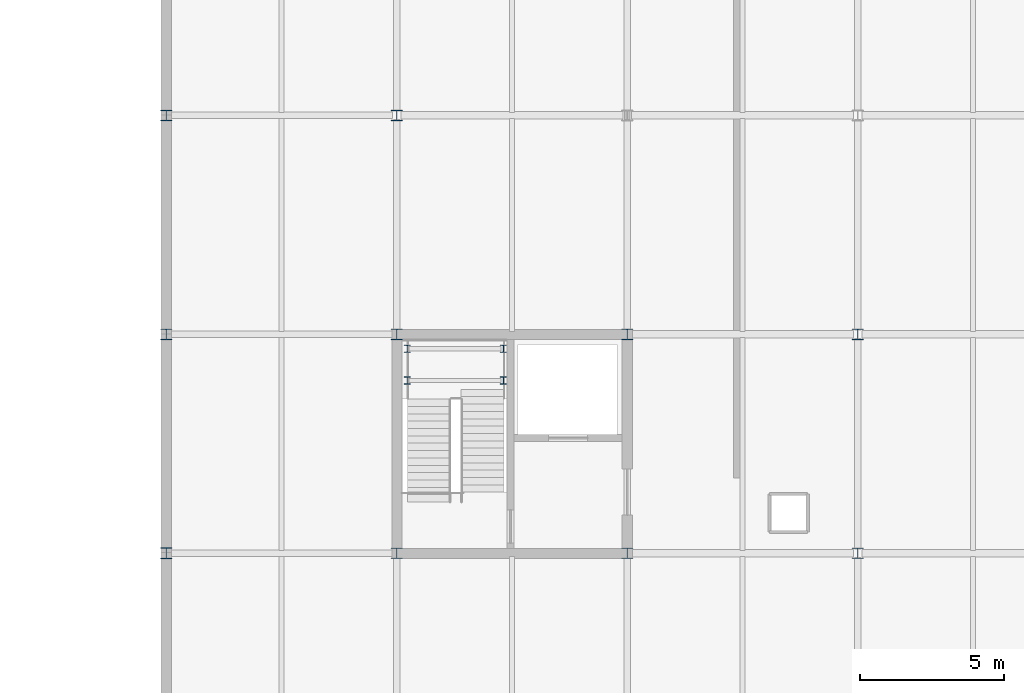
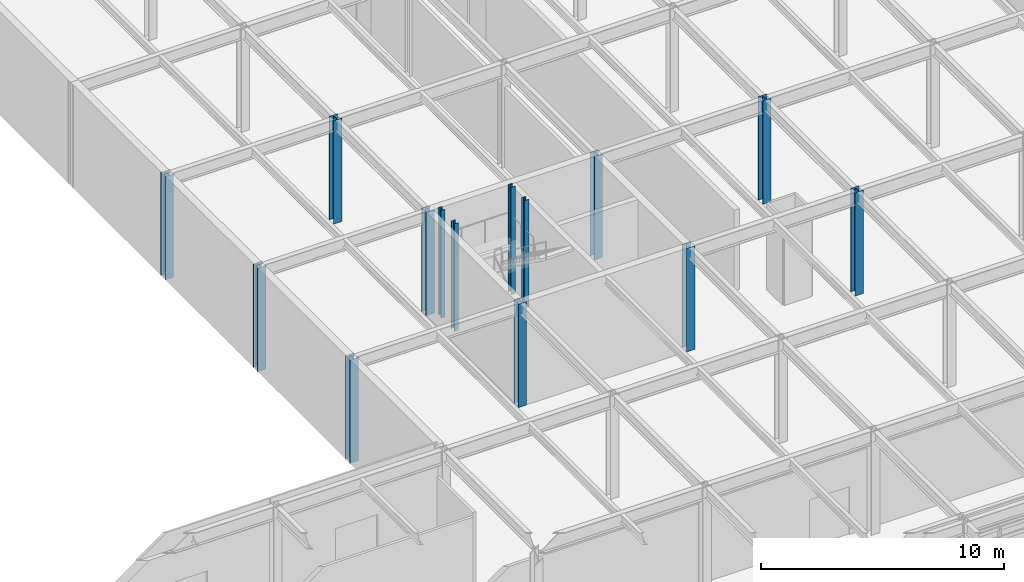
# One storey, part 15 of 94: 14 columns.
"""IFC4 building model written with IfcOpenShell, lengths in metres."""

from ifc_helpers import new_model, si_unit, direction, frame, origin, origin_2d, place, context, subcontext, project, spatial, i_section, extrude, material, material_profile, profile_set, type_object, element, save


model = new_model("IFC4")

# Units and contexts
model_context = context("Model", 3, precision=1e-05, world=origin(), true_north=direction((0.0, 1.0)))
body_context = subcontext(model_context, "Body", "Model", "MODEL_VIEW")
ifc_project = project(units=[si_unit("LENGTHUNIT", "METRE"), si_unit("AREAUNIT", "SQUARE_METRE"), si_unit("VOLUMEUNIT", "CUBIC_METRE"), si_unit("PLANEANGLEUNIT", "RADIAN"), si_unit("MASSUNIT", "GRAM", prefix="KILO")], contexts=[model_context])

# Site, building, storey
site_placement = place(None, origin())
site = spatial("IfcSite", under=ifc_project, at=site_placement, CompositionType="ELEMENT")
building_placement = place(site_placement, origin())
building = spatial("IfcBuilding", under=site, at=building_placement, Name="Zulena Civic Courthouse", CompositionType="ELEMENT")
storey_placement = place(building_placement, frame((0.0, 0.0, 5.39990234375)))
storey = spatial("IfcBuildingStorey", under=building, at=storey_placement, Name="L01", CompositionType="ELEMENT", Elevation=5.39990234375)

# Columns
ifc_material = material(Name="Steel ASTM A992 Grade 50", Category="steel")
ifc_material_profile_1 = material_profile(ifc_material, i_section(OverallWidth=0.2041015625, OverallDepth=0.257080078125, WebThickness=0.0087890625, FlangeThickness=0.015625, FilletRadius=0.0126953125, at=origin_2d()), Name="W10X45")
ifc_profile_set_1 = profile_set([ifc_material_profile_1], Name="Steel ASTM A992 Grade 50")
column_type_1 = type_object("IfcColumnType", Name="Col_W10X45", PredefinedType="COLUMN", material=ifc_profile_set_1)
for number, where, z_axis, x_axis, name in (
    (1, (76.360107421875, 74.39990234375, 0.0), (0.0, 0.0, 1.0), (1.0, 0.0, 0.0), "col:lnd:K5B:L01:0:0"),
    (2, (79.699951171875, 74.39990234375, 0.0), (0.0, 0.0, 1.0), (1.0, 0.0, 0.0), "col:lnd:K5B:L01:0:1"),
    (3, (76.360107421875, 75.5, 0.0), (0.0, 0.0, 1.0), (1.0, 0.0, 0.0), "col:lnd:K5B:L01:1:0"),
    (4, (79.699951171875, 75.5, 0.0), (0.0, 0.0, 1.0), (1.0, 0.0, 0.0), "col:lnd:K5B:L01:1:1"),
):
    element("IfcColumn", number, at=place(storey_placement, frame(where, z_axis=z_axis, x_axis=x_axis)), inside=storey, type_object=column_type_1, Name=name, PredefinedType="COLUMN", context=body_context, shape_type="SweptSolid", body=[
        extrude(i_section(OverallWidth=0.2041015625, OverallDepth=0.257080078125, WebThickness=0.0087890625, FlangeThickness=0.015625, FilletRadius=0.0126953125, at=origin_2d()), origin(), (0.0, 0.0, 1.0), 5.39501953125),
    ])
ifc_material_profile_2 = material_profile(ifc_material, i_section(OverallWidth=0.39404296875, OverallDepth=0.3759765625, WebThickness=0.017333984375, FlangeThickness=0.027587890625, FilletRadius=0.01513671875, at=origin_2d()), Name="W14X145")
ifc_profile_set_2 = profile_set([ifc_material_profile_2], Name="Steel ASTM A992 Grade 50")
column_type_2 = type_object("IfcColumnType", Name="Col_W14X145", PredefinedType="COLUMN", material=ifc_profile_set_2)
for number, where, z_axis, x_axis, name in (
    (5, (76.0, 68.39990234375, 0.0), (0.0, 0.0, 1.0), (1.0, 0.0, 0.0), "col:V5:L01:76.0:68.4"),
    (6, (76.0, 76.0, 0.0), (0.0, 0.0, 1.0), (1.0, 0.0, 0.0), "col:V5:L01:76.0:76.0"),
    (7, (76.0, 83.60009765625, 0.0), (0.0, 0.0, 1.0), (1.0, 0.0, 0.0), "col:V5:L01:76.0:83.6"),
    (8, (84.0, 68.39990234375, 0.0), (0.0, 0.0, 1.0), (1.0, 0.0, 0.0), "col:V5:L01:84.0:68.4"),
    (9, (84.0, 76.0, 0.0), (0.0, 0.0, 1.0), (1.0, 0.0, 0.0), "col:V5:L01:84.0:76.0"),
    (10, (92.0, 68.39990234375, 0.0), (0.0, 0.0, 1.0), (1.0, 0.0, 0.0), "col:V5:L01:92.0:68.4"),
    (11, (92.0, 76.0, 0.0), (0.0, 0.0, 1.0), (1.0, 0.0, 0.0), "col:V5:L01:92.0:76.0"),
):
    element("IfcColumn", number, at=place(storey_placement, frame(where, z_axis=z_axis, x_axis=x_axis)), inside=storey, type_object=column_type_2, Name=name, PredefinedType="COLUMN", context=body_context, shape_type="SweptSolid", body=[
        extrude(i_section(OverallWidth=0.39404296875, OverallDepth=0.3759765625, WebThickness=0.017333984375, FlangeThickness=0.027587890625, FilletRadius=0.01513671875, at=origin_2d()), origin(), (0.0, 0.0, 1.0), 5.18505859375),
    ])
ifc_material_profile_3 = material_profile(ifc_material, i_section(OverallWidth=0.39892578125, OverallDepth=0.386962890625, WebThickness=0.02099609375, FlangeThickness=0.033203125, FilletRadius=0.01513671875, at=origin_2d()), Name="W14X176")
ifc_profile_set_3 = profile_set([ifc_material_profile_3], Name="Steel ASTM A992 Grade 50")
column_type_3 = type_object("IfcColumnType", Name="Col_W14X176", PredefinedType="COLUMN", material=ifc_profile_set_3)
for number, where, z_axis, x_axis, name in (
    (12, (68.0, 68.39990234375, 0.0), (0.0, 0.0, 1.0), (1.0, 0.0, 0.0), "col:V5:L01:68.0:68.4"),
    (13, (68.0, 76.0, 0.0), (0.0, 0.0, 1.0), (1.0, 0.0, 0.0), "col:V5:L01:68.0:76.0"),
    (14, (68.0, 83.60009765625, 0.0), (0.0, 0.0, 1.0), (1.0, 0.0, 0.0), "col:V5:L01:68.0:83.6"),
):
    element("IfcColumn", number, at=place(storey_placement, frame(where, z_axis=z_axis, x_axis=x_axis)), inside=storey, type_object=column_type_3, Name=name, PredefinedType="COLUMN", context=body_context, shape_type="SweptSolid", body=[
        extrude(i_section(OverallWidth=0.39892578125, OverallDepth=0.386962890625, WebThickness=0.02099609375, FlangeThickness=0.033203125, FilletRadius=0.01513671875, at=origin_2d()), origin(), (0.0, 0.0, 1.0), 5.18505859375),
    ])

save(model, "model.ifc")
